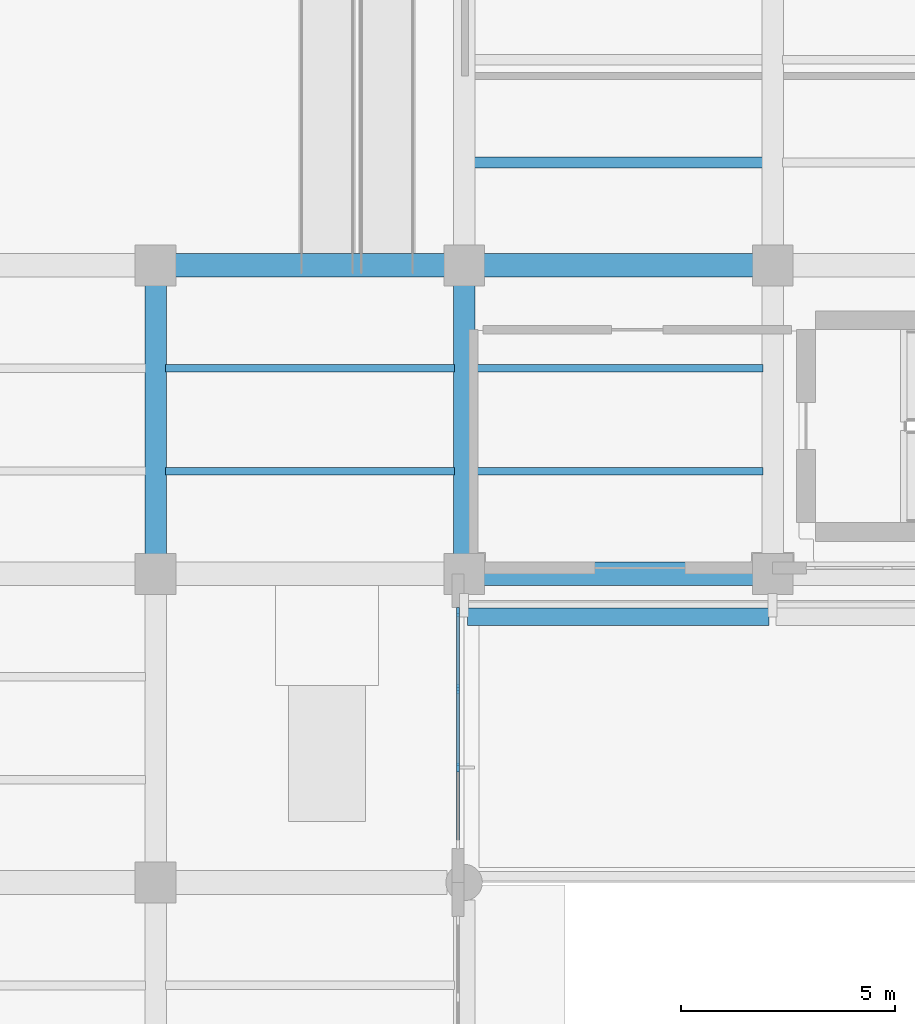
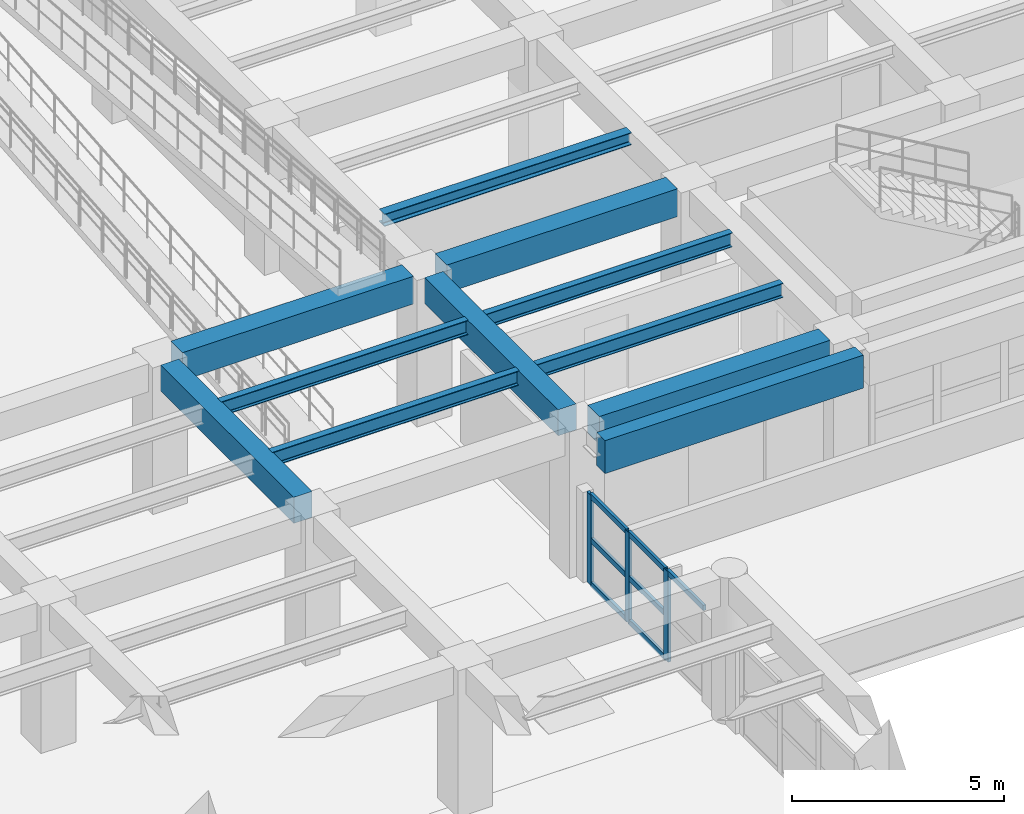
# One storey, part 8 of 64: 11 beams, 10 members, 1 element without a shape of its own.
"""IFC4 building model written with IfcOpenShell, lengths in metres."""

from ifc_helpers import new_model, si_unit, direction, frame, origin, origin_2d, place, context, subcontext, project, spatial, rectangle, i_section, extrude, material, layer, layer_set, material_profile, profile_set, type_object, element, aggregate, save


model = new_model("IFC4")

# Units and contexts
model_context = context("Model", 3, precision=1e-05, world=origin(), true_north=direction((0.0, 1.0)))
body_context = subcontext(model_context, "Body", "Model", "MODEL_VIEW")
ifc_project = project(units=[si_unit("LENGTHUNIT", "METRE"), si_unit("AREAUNIT", "SQUARE_METRE"), si_unit("VOLUMEUNIT", "CUBIC_METRE"), si_unit("PLANEANGLEUNIT", "RADIAN"), si_unit("MASSUNIT", "GRAM", prefix="KILO")], contexts=[model_context])

# Site, building, storey
site_placement = place(None, origin())
site = spatial("IfcSite", under=ifc_project, at=site_placement, CompositionType="ELEMENT")
building_placement = place(site_placement, origin())
building = spatial("IfcBuilding", under=site, at=building_placement, Name="Solenvale Faculty of Natural Sciences", CompositionType="ELEMENT")
storey_placement = place(building_placement, origin())
storey = spatial("IfcBuildingStorey", under=building, at=storey_placement, Name="L00", CompositionType="ELEMENT", Elevation=0.0)

# Beams
ifc_material_1 = material(Name="Concrete 40 MPa", Category="concrete")
ifc_material_profile_1 = material_profile(ifc_material_1, rectangle(XDim=0.5, YDim=0.75, at=origin_2d()), Name="RC-BM-500x750")
ifc_profile_set_1 = profile_set([ifc_material_profile_1], Name="Concrete 40 MPa")
beam_type_1 = type_object("IfcBeamType", Name="BM-RC-500x750", PredefinedType="BEAM", material=ifc_profile_set_1)
for number, where, z_axis, x_axis, name in (
    (1, (50.39990234375, 22.054931640625, 3.844970703125), (0.0, 1.0, 0.0), (-1.0, 0.0, 0.0), "L00 Y-Girder X50.4 (21.6..28.8)"),
    (2, (57.60009765625, 22.054931640625, 3.844970703125), (0.0, 1.0, 0.0), (-1.0, 0.0, 0.0), "L00 Y-Girder X57.6 (21.6..28.8)"),
):
    element("IfcBeam", number, at=place(storey_placement, frame(where, z_axis=z_axis, x_axis=x_axis)), inside=storey, type_object=beam_type_1, Name=name, PredefinedType="BEAM", context=body_context, shape_type="SweptSolid", body=[
        extrude(rectangle(XDim=0.5, YDim=0.75, at=origin_2d()), origin(), (0.0, 0.0, 1.0), 6.2900390625),
    ])
ifc_material_profile_2 = material_profile(ifc_material_1, rectangle(XDim=0.550048828125, YDim=0.800048828125, at=origin_2d()), Name="RC-BM-550x800")
ifc_profile_set_2 = profile_set([ifc_material_profile_2], Name="Concrete 40 MPa")
beam_type_2 = type_object("IfcBeamType", Name="BM-RC-550x800", PredefinedType="BEAM", material=ifc_profile_set_2)
for number, where, z_axis, x_axis, name in (
    (3, (58.054931640625, 21.60009765625, 3.820068359375), (1.0, 0.0, 0.0), (0.0, 1.0, 0.0), "L00 X-Girder Y21.6 (57.6..64.8)"),
    (4, (50.85498046875, 28.800048828125, 3.820068359375), (1.0, 0.0, 0.0), (0.0, 1.0, 0.0), "L00 X-Girder Y28.8 (50.4..57.6)"),
    (5, (58.054931640625, 28.800048828125, 3.820068359375), (1.0, 0.0, 0.0), (0.0, 1.0, 0.0), "L00 X-Girder Y28.8 (57.6..64.8)"),
):
    element("IfcBeam", number, at=place(storey_placement, frame(where, z_axis=z_axis, x_axis=x_axis)), inside=storey, type_object=beam_type_2, Name=name, PredefinedType="BEAM", context=body_context, shape_type="SweptSolid", body=[
        extrude(rectangle(XDim=0.550048828125, YDim=0.800048828125, at=origin_2d()), origin(), (0.0, 0.0, 1.0), 6.2900390625),
    ])
ifc_material_2 = material(Name="Architectural bronze concrete 40 MPa", Category="concrete")
ifc_material_profile_3 = material_profile(ifc_material_2, rectangle(XDim=0.39990234375, YDim=0.949951171875, at=origin_2d()), Name="RC-SPN-400x950")
ifc_profile_set_3 = profile_set([ifc_material_profile_3], Name="Architectural bronze concrete 40 MPa")
beam_type_3 = type_object("IfcBeamType", Name="BM-SPN-BRZ-950", PredefinedType="SPANDREL", material=ifc_profile_set_3)
beam_1_placement = place(storey_placement, frame((57.679931640625, 20.60009765625, 3.7451171875), z_axis=(1.0, 0.0, 0.0), x_axis=(0.0, 1.0, 0.0)))
element("IfcBeam", 6, at=beam_1_placement, inside=storey, type_object=beam_type_3, Name="L01 Sliding-Tray South Bronze Fascia 1", PredefinedType="SPANDREL", context=body_context, shape_type="SweptSolid", body=[
    extrude(rectangle(XDim=0.39990234375, YDim=0.949951171875, at=origin_2d()), origin(), (0.0, 0.0, 1.0), 7.0400390625),
])
ifc_material_3 = material(Name="Steel S355", Category="steel")
ifc_material_profile_4 = material_profile(ifc_material_3, i_section(OverallWidth=0.2548828125, OverallDepth=0.35693359375, WebThickness=0.010498046875, FlangeThickness=0.018310546875, FilletRadius=0.014892578125, at=origin_2d()), Name="W360x101")
ifc_profile_set_4 = profile_set([ifc_material_profile_4], Name="Steel S355")
beam_type_4 = type_object("IfcBeamType", Name="BM-STL-W360x101", PredefinedType="JOIST", material=ifc_profile_set_4)
beam_2_placement = place(storey_placement, frame((57.830078125, 31.199951171875, 4.04150390625), z_axis=(1.0, 0.0, 0.0), x_axis=(0.0, 1.0, 0.0)))
element("IfcBeam", 7, at=beam_2_placement, inside=storey, type_object=beam_type_4, Name="L00 Composite Floor Joist (9,5).1", PredefinedType="JOIST", context=body_context, shape_type="SweptSolid", body=[
    extrude(i_section(OverallWidth=0.2548828125, OverallDepth=0.35693359375, WebThickness=0.010498046875, FlangeThickness=0.018310546875, FilletRadius=0.014892578125, at=origin_2d()), origin(), (0.0, 0.0, 1.0), 6.739990234375),
])
ifc_material_profile_5 = material_profile(ifc_material_3, i_section(OverallWidth=0.178955078125, OverallDepth=0.409912109375, WebThickness=0.0087890625, FlangeThickness=0.014404296875, FilletRadius=0.01611328125, at=origin_2d()), Name="W410x67")
ifc_profile_set_5 = profile_set([ifc_material_profile_5], Name="Steel S355")
beam_type_5 = type_object("IfcBeamType", Name="BM-STL-W410x67", PredefinedType="JOIST", material=ifc_profile_set_5)
for number, where, z_axis, x_axis, name in (
    (8, (57.830078125, 24.0, 4.014892578125), (1.0, 0.0, 0.0), (0.0, 1.0, 0.0), "L00 Composite Floor Joist (9,4).1"),
    (9, (57.830078125, 26.39990234375, 4.014892578125), (1.0, 0.0, 0.0), (0.0, 1.0, 0.0), "L00 Composite Floor Joist (9,4).2"),
):
    element("IfcBeam", number, at=place(storey_placement, frame(where, z_axis=z_axis, x_axis=x_axis)), inside=storey, type_object=beam_type_5, Name=name, PredefinedType="JOIST", context=body_context, shape_type="SweptSolid", body=[
        extrude(i_section(OverallWidth=0.178955078125, OverallDepth=0.409912109375, WebThickness=0.0087890625, FlangeThickness=0.014404296875, FilletRadius=0.01611328125, at=origin_2d()), origin(), (0.0, 0.0, 1.0), 6.739990234375),
    ])
ifc_material_profile_6 = material_profile(ifc_material_3, i_section(OverallWidth=0.180908203125, OverallDepth=0.4169921875, WebThickness=0.010986328125, FlangeThickness=0.018310546875, FilletRadius=0.01611328125, at=origin_2d()), Name="W410x85")
ifc_profile_set_6 = profile_set([ifc_material_profile_6], Name="Steel S355")
beam_type_6 = type_object("IfcBeamType", Name="BM-STL-W410x85", PredefinedType="JOIST", material=ifc_profile_set_6)
for number, where, z_axis, x_axis, name in (
    (10, (50.6298828125, 24.0, 4.011474609375), (1.0, 0.0, 0.0), (0.0, 1.0, 0.0), "L00 Composite Floor Joist (8,4).1"),
    (11, (50.6298828125, 26.39990234375, 4.011474609375), (1.0, 0.0, 0.0), (0.0, 1.0, 0.0), "L00 Composite Floor Joist (8,4).2"),
):
    element("IfcBeam", number, at=place(storey_placement, frame(where, z_axis=z_axis, x_axis=x_axis)), inside=storey, type_object=beam_type_6, Name=name, PredefinedType="JOIST", context=body_context, shape_type="SweptSolid", body=[
        extrude(i_section(OverallWidth=0.180908203125, OverallDepth=0.4169921875, WebThickness=0.010986328125, FlangeThickness=0.018310546875, FilletRadius=0.01611328125, at=origin_2d()), origin(), (0.0, 0.0, 1.0), 6.740234375),
    ])

# Curtain wall, members
ifc_material_4 = material(Name="Anodised bronze aluminium", Category="aluminium")
ifc_layer = layer(ifc_material_4, 0.215087890625)
ifc_layer_set = layer_set([ifc_layer], Name="Anodised bronze aluminium")
curtain_wall_type = type_object("IfcCurtainWallType", Name="CW-ATR-UNIT", PredefinedType="USERDEFINED", material=ifc_layer_set)
curtain_wall_placement = place(storey_placement, origin())
curtain_wall = element("IfcCurtainWall", 12, at=curtain_wall_placement, inside=storey, type_object=curtain_wall_type, Name="L00 Curtain Wall CW-L00-P1-E2-B1", ObjectType="UNITISED CURTAIN WALL", PredefinedType="USERDEFINED")
ifc_material_profile_7 = material_profile(ifc_material_4, rectangle(XDim=0.074951171875, YDim=0.2099609375, at=origin_2d()), Name="ALU-MUL-75x210")
ifc_profile_set_7 = profile_set([ifc_material_profile_7], Name="Anodised bronze aluminium")
member_type_1 = type_object("IfcMemberType", Name="CWM-ALU-75x210", PredefinedType="MULLION", material=ifc_profile_set_7)
member_1_placement = place(storey_placement, frame((57.45751953125, 17.083251953125, 0.0), z_axis=(0.0, 0.0, 1.0), x_axis=(-1.0, 0.0, 0.0)))
member_1 = element("IfcMember", 13, at=member_1_placement, type_object=member_type_1, Name="CW-01 mullion 2", PredefinedType="MULLION", context=body_context, shape_type="SweptSolid", body=[
    extrude(rectangle(XDim=0.074951171875, YDim=0.2099609375, at=origin_2d()), origin(), (0.0, 0.0, 1.0), 2.60009765625),
])
member_2_placement = place(storey_placement, frame((57.45751953125, 18.916748046875, 0.0), z_axis=(0.0, 0.0, 1.0), x_axis=(-1.0, 0.0, 0.0)))
member_2 = element("IfcMember", 14, at=member_2_placement, type_object=member_type_1, Name="CW-01 mullion 3", PredefinedType="MULLION", context=body_context, shape_type="SweptSolid", body=[
    extrude(rectangle(XDim=0.074951171875, YDim=0.2099609375, at=origin_2d()), origin(), (0.0, 0.0, 1.0), 2.60009765625),
])
member_3_placement = place(storey_placement, frame((57.45751953125, 20.71240234375, 0.0), z_axis=(0.0, 0.0, 1.0), x_axis=(-1.0, 0.0, 0.0)))
member_3 = element("IfcMember", 15, at=member_3_placement, type_object=member_type_1, Name="CW-01 mullion 4", PredefinedType="MULLION", context=body_context, shape_type="SweptSolid", body=[
    extrude(rectangle(XDim=0.074951171875, YDim=0.2099609375, at=origin_2d()), origin(), (0.0, 0.0, 1.0), 2.60009765625),
])
ifc_material_profile_8 = material_profile(ifc_material_4, rectangle(XDim=0.074951171875, YDim=0.155029296875, at=origin_2d()), Name="ALU-TRN-75x155")
ifc_profile_set_8 = profile_set([ifc_material_profile_8], Name="Anodised bronze aluminium")
member_type_2 = type_object("IfcMemberType", Name="CWT-ALU-75x155", PredefinedType="USERDEFINED", material=ifc_profile_set_8)
member_4_placement = place(storey_placement, frame((57.45751953125, 15.324951171875, 2.5625), z_axis=(0.0, 1.0, 0.0), x_axis=(-1.0, 0.0, 0.0)))
member_4 = element("IfcMember", 16, at=member_4_placement, type_object=member_type_2, Name="CW-01 transom 1.3", ObjectType="TRANSOM", PredefinedType="USERDEFINED", context=body_context, shape_type="SweptSolid", body=[
    extrude(rectangle(XDim=0.074951171875, YDim=0.155029296875, at=origin_2d()), origin(), (0.0, 0.0, 1.0), 1.720947265625),
])
member_5_placement = place(storey_placement, frame((57.45751953125, 17.120849609375, 0.03759765625), z_axis=(0.0, 1.0, 0.0), x_axis=(-1.0, 0.0, 0.0)))
member_5 = element("IfcMember", 17, at=member_5_placement, type_object=member_type_2, Name="CW-01 transom 2.1", ObjectType="TRANSOM", PredefinedType="USERDEFINED", context=body_context, shape_type="SweptSolid", body=[
    extrude(rectangle(XDim=0.074951171875, YDim=0.155029296875, at=origin_2d()), origin(), (0.0, 0.0, 1.0), 1.75830078125),
])
member_6_placement = place(storey_placement, frame((57.45751953125, 17.120849609375, 1.300048828125), z_axis=(0.0, 1.0, 0.0), x_axis=(-1.0, 0.0, 0.0)))
member_6 = element("IfcMember", 18, at=member_6_placement, type_object=member_type_2, Name="CW-01 transom 2.2", ObjectType="TRANSOM", PredefinedType="USERDEFINED", context=body_context, shape_type="SweptSolid", body=[
    extrude(rectangle(XDim=0.074951171875, YDim=0.155029296875, at=origin_2d()), origin(), (0.0, 0.0, 1.0), 1.75830078125),
])
member_7_placement = place(storey_placement, frame((57.45751953125, 17.120849609375, 2.5625), z_axis=(0.0, 1.0, 0.0), x_axis=(-1.0, 0.0, 0.0)))
member_7 = element("IfcMember", 19, at=member_7_placement, type_object=member_type_2, Name="CW-01 transom 2.3", ObjectType="TRANSOM", PredefinedType="USERDEFINED", context=body_context, shape_type="SweptSolid", body=[
    extrude(rectangle(XDim=0.074951171875, YDim=0.155029296875, at=origin_2d()), origin(), (0.0, 0.0, 1.0), 1.75830078125),
])
member_8_placement = place(storey_placement, frame((57.45751953125, 18.9541015625, 0.03759765625), z_axis=(0.0, 1.0, 0.0), x_axis=(-1.0, 0.0, 0.0)))
member_8 = element("IfcMember", 20, at=member_8_placement, type_object=member_type_2, Name="CW-01 transom 3.1", ObjectType="TRANSOM", PredefinedType="USERDEFINED", context=body_context, shape_type="SweptSolid", body=[
    extrude(rectangle(XDim=0.074951171875, YDim=0.155029296875, at=origin_2d()), origin(), (0.0, 0.0, 1.0), 1.720947265625),
])
member_9_placement = place(storey_placement, frame((57.45751953125, 18.9541015625, 1.300048828125), z_axis=(0.0, 1.0, 0.0), x_axis=(-1.0, 0.0, 0.0)))
member_9 = element("IfcMember", 21, at=member_9_placement, type_object=member_type_2, Name="CW-01 transom 3.2", ObjectType="TRANSOM", PredefinedType="USERDEFINED", context=body_context, shape_type="SweptSolid", body=[
    extrude(rectangle(XDim=0.074951171875, YDim=0.155029296875, at=origin_2d()), origin(), (0.0, 0.0, 1.0), 1.720947265625),
])
member_10_placement = place(storey_placement, frame((57.45751953125, 18.9541015625, 2.5625), z_axis=(0.0, 1.0, 0.0), x_axis=(-1.0, 0.0, 0.0)))
member_10 = element("IfcMember", 22, at=member_10_placement, type_object=member_type_2, Name="CW-01 transom 3.3", ObjectType="TRANSOM", PredefinedType="USERDEFINED", context=body_context, shape_type="SweptSolid", body=[
    extrude(rectangle(XDim=0.074951171875, YDim=0.155029296875, at=origin_2d()), origin(), (0.0, 0.0, 1.0), 1.720947265625),
])
aggregate(curtain_wall, [member_1, member_2, member_3, member_4, member_5, member_6, member_7, member_8, member_9, member_10])

save(model, "model.ifc")
